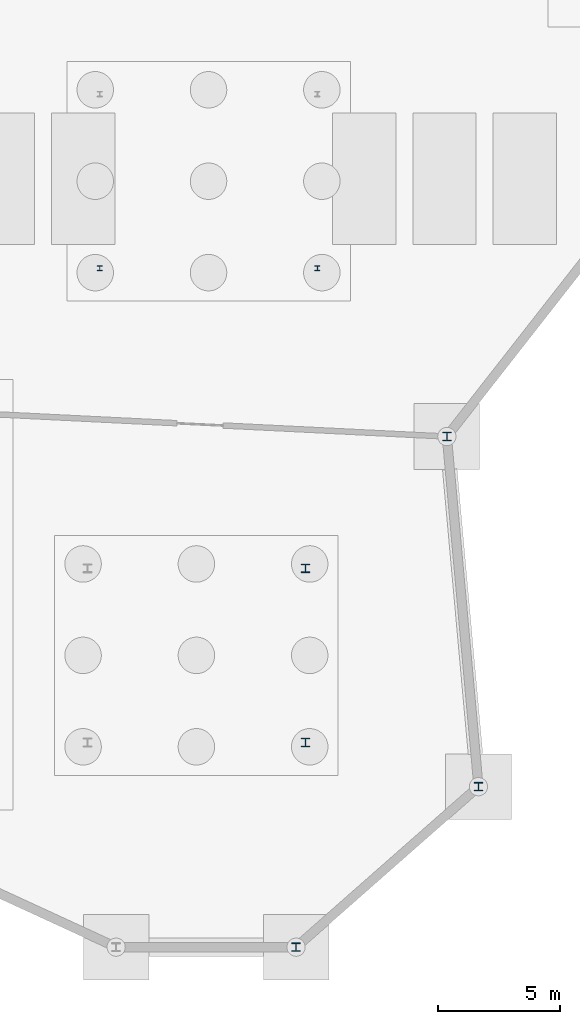
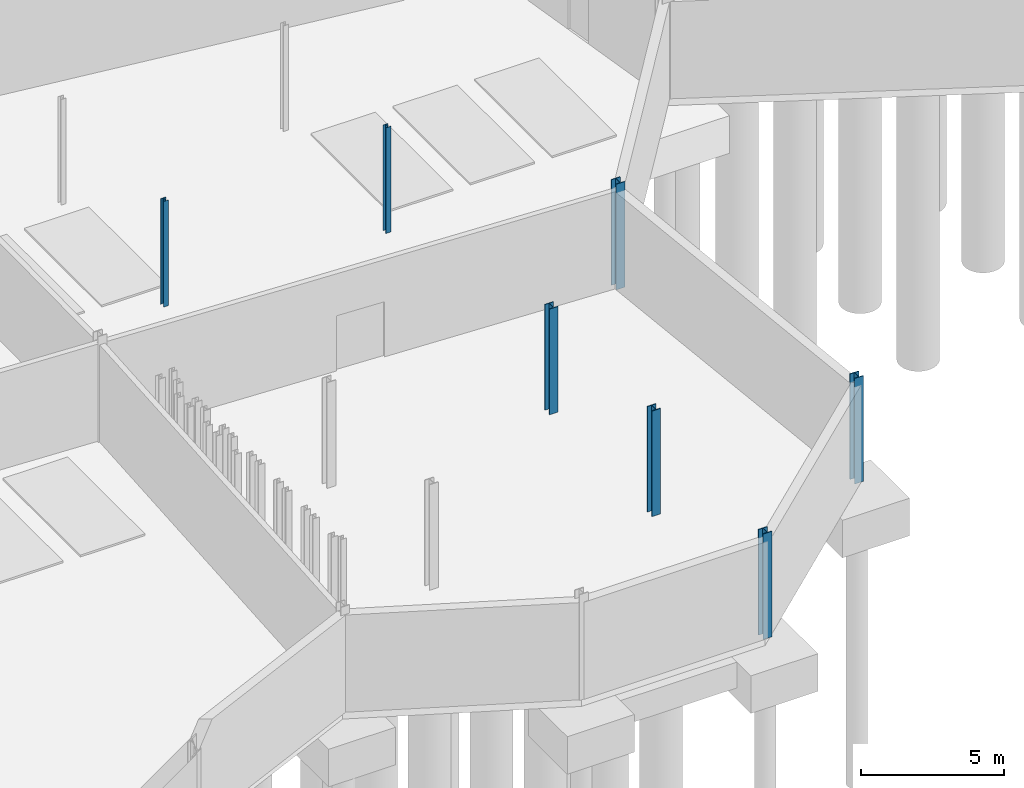
# One storey, part 7 of 37: 7 columns.
"""IFC4 building model written with IfcOpenShell, lengths in metres."""

from ifc_helpers import new_model, si_unit, direction, frame, origin, origin_2d, place, context, subcontext, project, spatial, i_section, extrude, material, material_profile, profile_set, type_object, element, save


model = new_model("IFC4")

# Units and contexts
model_context = context("Model", 3, precision=1e-05, world=origin(), true_north=direction((0.0, 1.0)))
body_context = subcontext(model_context, "Body", "Model", "MODEL_VIEW")
ifc_project = project(units=[si_unit("LENGTHUNIT", "METRE"), si_unit("AREAUNIT", "SQUARE_METRE"), si_unit("VOLUMEUNIT", "CUBIC_METRE"), si_unit("PLANEANGLEUNIT", "RADIAN"), si_unit("MASSUNIT", "GRAM", prefix="KILO")], contexts=[model_context])

# Site, building, storey
site_placement = place(None, origin())
site = spatial("IfcSite", under=ifc_project, at=site_placement, CompositionType="ELEMENT")
building_placement = place(site_placement, origin())
building = spatial("IfcBuilding", under=site, at=building_placement, Name="Tameran Prism Museum", CompositionType="ELEMENT")
storey_placement = place(building_placement, frame((0.0, 0.0, -4.5)))
storey = spatial("IfcBuildingStorey", under=building, at=storey_placement, Name="B1", CompositionType="ELEMENT", Elevation=-4.5)

# Columns
ifc_material_1 = material(Name="Steel Grade 300PLUS (300 MPa)", Category="steel")
ifc_material_profile_1 = material_profile(ifc_material_1, i_section(OverallWidth=0.205078125, OverallDepth=0.2099609375, WebThickness=0.00927734375, FlangeThickness=0.01416015625, FilletRadius=0.01025390625, at=origin_2d()))
ifc_profile_set_1 = profile_set([ifc_material_profile_1])
column_type_1 = type_object("IfcColumnType", Name="COL-UC200", PredefinedType="COLUMN", material=ifc_profile_set_1)
for number, where, z_axis, x_axis, name in (
    (1, (29.52001953125, 27.919921875, 0.0), (0.0, 0.0, 1.0), (1.0, 0.0, 0.0), "Column CC-12-1 B1"),
    (2, (38.47998046875, 27.919921875, 0.0), (0.0, 0.0, 1.0), (1.0, 0.0, 0.0), "Column CC-12-2 B1"),
):
    element("IfcColumn", number, at=place(storey_placement, frame(where, z_axis=z_axis, x_axis=x_axis)), inside=storey, type_object=column_type_1, Name=name, PredefinedType="COLUMN", context=body_context, shape_type="SweptSolid", body=[
        extrude(i_section(OverallWidth=0.205078125, OverallDepth=0.2099609375, WebThickness=0.00927734375, FlangeThickness=0.01416015625, FilletRadius=0.01025390625, at=origin_2d()), origin(), (0.0, 0.0, 1.0), 4.5),
    ])
ifc_material_2 = material(Name="Steel Grade 350 (350 MPa)", Category="steel")
ifc_material_profile_2 = material_profile(ifc_material_2, i_section(OverallWidth=0.35009765625, OverallDepth=0.35009765625, WebThickness=0.02001953125, FlangeThickness=0.028076171875, at=origin_2d()))
ifc_profile_set_2 = profile_set([ifc_material_profile_2])
column_type_2 = type_object("IfcColumnType", Name="COL-WC350", PredefinedType="COLUMN", material=ifc_profile_set_2)
for number, where, z_axis, x_axis, name in (
    (3, (37.60009765625, 0.0, 0.0), (0.0, 0.0, 1.0), (1.0, 0.0, 0.0), "Column CV-21 B1"),
    (4, (43.800048828125, 21.0, 0.0), (0.0, 0.0, 1.0), (1.0, 0.0, 0.0), "Column CV-23 B1"),
    (5, (45.10009765625, 6.60009765625, 0.0), (0.0, 0.0, 1.0), (1.0, 0.0, 0.0), "Column CV-24 B1"),
    (6, (37.97998046875, 8.419921875, 0.0), (0.0, 0.0, 1.0), (1.0, 0.0, 0.0), "Column CC-6-2 B1"),
    (7, (37.97998046875, 15.580078125, 0.0), (0.0, 0.0, 1.0), (1.0, 0.0, 0.0), "Column CC-6-3 B1"),
):
    element("IfcColumn", number, at=place(storey_placement, frame(where, z_axis=z_axis, x_axis=x_axis)), inside=storey, type_object=column_type_2, Name=name, PredefinedType="COLUMN", context=body_context, shape_type="SweptSolid", body=[
        extrude(i_section(OverallWidth=0.35009765625, OverallDepth=0.35009765625, WebThickness=0.02001953125, FlangeThickness=0.028076171875, at=origin_2d()), origin(), (0.0, 0.0, 1.0), 4.5),
    ])

save(model, "model.ifc")
